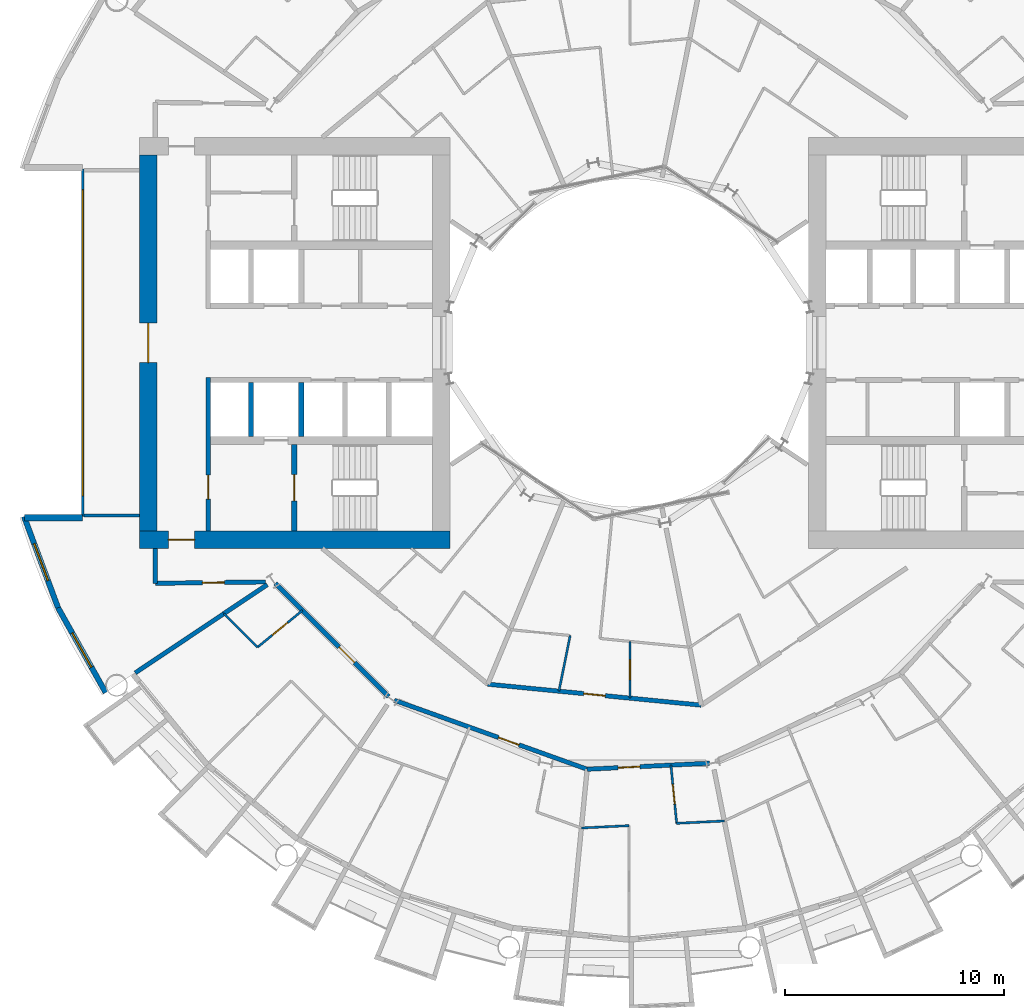
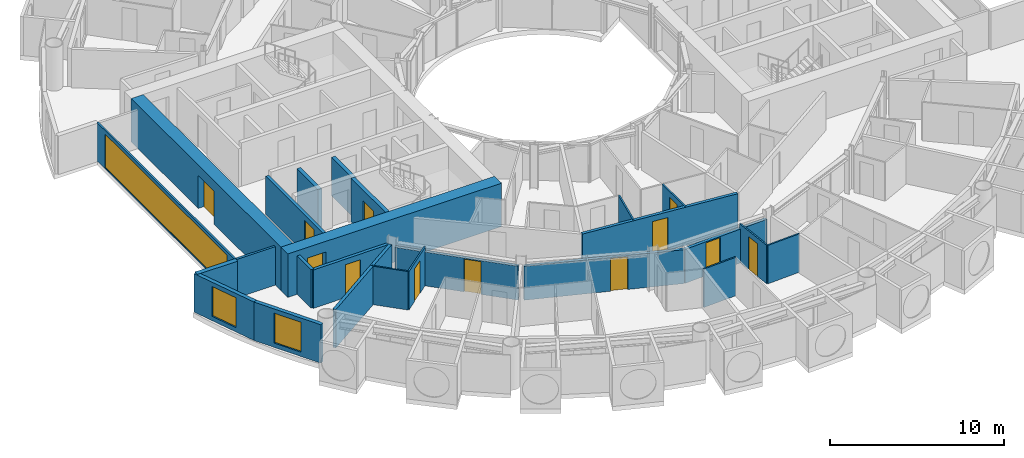
# One storey, part 14 of 26: 26 walls, 12 doors, 3 windows, 15 openings.
"""IFC4 building model written with IfcOpenShell, lengths in metres."""

import ifcopenshell
import ifcopenshell.guid

model = None  # the IFC model being written
_history = None  # IfcOwnerHistory: only IFC2X3 demands one
_inside = {}  # id of a spatial element -> (the spatial element, [elements in it])
_under = {}  # id of a project, library or spatial element -> (it, [spatial elements below it])
_declared = {}  # id of a project -> (the project, [libraries it declares])
_typed = {}  # id of a type object -> (the type object, [elements of that type])
_made_of = {}  # id of a material, layer set ... -> (it, [elements and type objects made of it])


def new_model(schema):
    """Start an empty IFC model of exactly this schema.

    Asked for "IFC4X3", IfcOpenShell would pick the latest addendum, in which some entities
    have other attributes; the version numbers below select the first issue.
    IFC2X3 requires an IfcOwnerHistory on every rooted entity: one is made here for all.
    """
    global model, _history
    if schema == "IFC4X3":
        model = ifcopenshell.file(schema_version=(4, 3, 0, 0))
    else:
        model = ifcopenshell.file(schema=schema)
    _inside.clear()
    _under.clear()
    _declared.clear()
    _typed.clear()
    _made_of.clear()
    _history = None
    if model.schema == "IFC2X3":
        org = make("IfcOrganization", Name="unknown")
        user = make(
            "IfcPersonAndOrganization",
            ThePerson=make("IfcPerson", FamilyName="unknown"),
            TheOrganization=org,
        )
        app = make(
            "IfcApplication",
            ApplicationDeveloper=org,
            Version="unknown",
            ApplicationFullName="unknown",
            ApplicationIdentifier="unknown",
        )
        _history = make(
            "IfcOwnerHistory",
            OwningUser=user,
            OwningApplication=app,
            ChangeAction="ADDED",
            CreationDate=0,
        )
    return model


def make(cls, **values):
    """One entity of the class cls with the attributes given. An attribute that is None is left unset."""
    return model.create_entity(
        cls, **{name: value for name, value in values.items() if value is not None}
    )


def rooted(cls, **values):
    """An entity with a GlobalId (a new one), such as an element, a storey or a relation."""
    return make(cls, GlobalId=ifcopenshell.guid.new(), OwnerHistory=_history, **values)


def si_unit(unit_type, name, prefix=None):
    """IfcSIUnit, for example si_unit("LENGTHUNIT", "METRE", prefix="MILLI")."""
    return make("IfcSIUnit", UnitType=unit_type, Prefix=prefix, Name=name)


def assignment(units):
    """IfcUnitAssignment: the units of a project."""
    return None if units is None else make("IfcUnitAssignment", Units=units)


def point(xyz):
    """IfcCartesianPoint."""
    return None if xyz is None else make("IfcCartesianPoint", Coordinates=xyz)


def direction(xyz):
    """IfcDirection."""
    return None if xyz is None else make("IfcDirection", DirectionRatios=xyz)


def frame(location, z_axis=None, x_axis=None):
    """IfcAxis2Placement3D, a coordinate frame: its origin and axes. An axis left out is left unset."""
    return make(
        "IfcAxis2Placement3D",
        Location=point(location),
        Axis=direction(z_axis),
        RefDirection=direction(x_axis),
    )


def frame_2d(location, x_axis=None):
    """IfcAxis2Placement2D, a coordinate frame in the plane: its origin and x axis."""
    return make(
        "IfcAxis2Placement2D", Location=point(location), RefDirection=direction(x_axis)
    )


def origin():
    """The frame at (0, 0, 0) with its axes left unset."""
    return frame((0.0, 0.0, 0.0))


def place(relative_to, where):
    """IfcLocalPlacement: puts the frame where relative to a parent placement (None: the world)."""
    return make(
        "IfcLocalPlacement", PlacementRelTo=relative_to, RelativePlacement=where
    )


def context(
    kind, dimensions, precision=None, world=None, true_north=None, identifier=None
):
    """IfcGeometricRepresentationContext, for example the 3D "Model" context."""
    return make(
        "IfcGeometricRepresentationContext",
        ContextIdentifier=identifier,
        ContextType=kind,
        CoordinateSpaceDimension=dimensions,
        Precision=precision,
        WorldCoordinateSystem=world,
        TrueNorth=true_north,
    )


def subcontext(parent, identifier, kind, view, scale=None):
    """IfcGeometricRepresentationSubContext, for example "Body" below "Model"."""
    return make(
        "IfcGeometricRepresentationSubContext",
        ContextIdentifier=identifier,
        ContextType=kind,
        ParentContext=parent,
        TargetScale=scale,
        TargetView=view,
    )


def project(units=None, contexts=None):
    """IfcProject with its units and contexts."""
    return rooted(
        "IfcProject",
        Name="project",
        RepresentationContexts=contexts,
        UnitsInContext=assignment(units),
    )


def spatial(cls, under=None, at=None, **own):
    """A site, building, storey or space (cls), placed at a placement, below another one or the project."""
    s = rooted(cls, ObjectPlacement=at, **own)
    if under is not None:
        _under.setdefault(under.id(), (under, []))[1].append(s)
    return s


def profile(cls, at=None, kind="AREA", **sizes):
    """A parametric profile (cls). Its sizes go by their IFC names, for example OverallWidth=200.0."""
    return make(cls, ProfileType=kind, Position=at, **sizes)


def rectangle(**sizes):
    """IfcRectangleProfileDef."""
    return profile("IfcRectangleProfileDef", **sizes)


def extrude(swept, where, along, depth):
    """IfcExtrudedAreaSolid: the profile swept, set in the frame where, extruded along a direction by depth."""
    return make(
        "IfcExtrudedAreaSolid",
        SweptArea=swept,
        Position=where,
        ExtrudedDirection=direction(along),
        Depth=depth,
    )


def shape(context_of_items, identifier, shape_type, items):
    """IfcShapeRepresentation: the items that make up one representation, for example the "Body"."""
    return make(
        "IfcShapeRepresentation",
        ContextOfItems=context_of_items,
        RepresentationIdentifier=identifier,
        RepresentationType=shape_type,
        Items=items,
    )


def material(Name=None, Category=None):
    """IfcMaterial."""
    return make("IfcMaterial", Name=Name, Category=Category)


def layer(
    of_material, thickness, ventilated=None, Name=None, Category=None, Priority=None
):
    """IfcMaterialLayer: one layer of a wall or slab, of a material (None: an air gap)."""
    return make(
        "IfcMaterialLayer",
        Material=of_material,
        LayerThickness=thickness,
        IsVentilated=ventilated,
        Name=Name,
        Category=Category,
        Priority=Priority,
    )


def layer_set(layers, Name=None):
    """IfcMaterialLayerSet."""
    return make("IfcMaterialLayerSet", MaterialLayers=layers, LayerSetName=Name)


def made_of(thing, what):
    """Note that an element or type object is made of a material, layer set ...; save() writes the relation."""
    if what is not None:
        _made_of.setdefault(what.id(), (what, []))[1].append(thing)
    return thing


def type_object(cls, material=None, **own):
    """A type object (cls), such as IfcWallType, which elements share."""
    return made_of(rooted(cls, **own), material)


def element(
    cls,
    number,
    at=None,
    inside=None,
    cuts=None,
    type_object=None,
    material=None,
    context=None,
    identifier="Body",
    shape_type=None,
    held_by="IfcProductDefinitionShape",
    body=None,
    shapes=None,
    **own,
):
    """One element of the class cls, such as IfcWall. Its Tag is "e" and its number.

    at: its placement. inside: the storey or other place that contains it. cuts: it is an
    opening in that element (IfcRelVoidsElement). A single representation is given by context,
    identifier, shape_type and body (its items); several are given by shapes. held_by: the class
    of the entity that holds the representations. save() writes the other relations.
    """
    e = rooted(cls, Tag="e%d" % number, ObjectPlacement=at, **own)
    if body is not None:
        shapes = [shape(context, identifier, shape_type, body)]
    if shapes is not None:
        e.Representation = make(held_by, Representations=shapes)
    if inside is not None:
        _inside.setdefault(inside.id(), (inside, []))[1].append(e)
    if cuts is not None:
        rooted(
            "IfcRelVoidsElement", RelatingBuildingElement=cuts, RelatedOpeningElement=e
        )
    if type_object is not None:
        _typed.setdefault(type_object.id(), (type_object, []))[1].append(e)
    return made_of(e, material)


def fill(opening, filler):
    """IfcRelFillsElement: the door or window that sits in an opening."""
    return rooted(
        "IfcRelFillsElement",
        RelatingOpeningElement=opening,
        RelatedBuildingElement=filler,
    )


def aggregate(whole, parts):
    """IfcRelAggregates: a whole, such as a stair, and the parts it consists of."""
    return rooted("IfcRelAggregates", RelatingObject=whole, RelatedObjects=parts)


def save(model, path):
    """Write the relations noted so far, then the file.

    IfcRelAggregates (storeys below a building ...), IfcRelContainedInSpatialStructure (elements
    in a storey), IfcRelDefinesByType, IfcRelAssociatesMaterial and IfcRelDeclares: one each for
    every whole, place, type object, material and project.
    """
    for whole, parts in _under.values():
        aggregate(whole, parts)
    for where, things in _inside.values():
        rooted(
            "IfcRelContainedInSpatialStructure",
            RelatedElements=things,
            RelatingStructure=where,
        )
    for kind, things in _typed.values():
        rooted("IfcRelDefinesByType", RelatedObjects=things, RelatingType=kind)
    for what, things in _made_of.values():
        rooted("IfcRelAssociatesMaterial", RelatedObjects=things, RelatingMaterial=what)
    for by, libraries in _declared.values():
        rooted("IfcRelDeclares", RelatingContext=by, RelatedDefinitions=libraries)
    model.write(path)


model = new_model("IFC4")

# Units and contexts
model_context = context("Model", 3, precision=1e-05, world=origin(), true_north=direction((0.0, 1.0)))
body_context = subcontext(model_context, "Body", "Model", "MODEL_VIEW")
ifc_project = project(units=[si_unit("LENGTHUNIT", "METRE"), si_unit("AREAUNIT", "SQUARE_METRE"), si_unit("VOLUMEUNIT", "CUBIC_METRE"), si_unit("PLANEANGLEUNIT", "RADIAN"), si_unit("MASSUNIT", "GRAM", prefix="KILO")], contexts=[model_context])

# Site, building, storey
site_placement = place(None, origin())
site = spatial("IfcSite", under=ifc_project, at=site_placement, CompositionType="ELEMENT")
building_placement = place(site_placement, origin())
building = spatial("IfcBuilding", under=site, at=building_placement, Name="Maasbend Ring Residences", CompositionType="ELEMENT")
storey_placement = place(building_placement, frame((0.0, 0.0, 25.85009765625)))
storey = spatial("IfcBuildingStorey", under=building, at=storey_placement, Name="L06", CompositionType="ELEMENT", Elevation=25.85009765625)

# Wall, opening, door
ifc_material_1 = material(Name="Concrete C70/85", Category="concrete")
ifc_layer_1 = layer(ifc_material_1, 0.25)
ifc_layer_set_1 = layer_set([ifc_layer_1], Name="Concrete C70/85")
wall_type_1 = type_object("IfcWallType", Name="CORE WALL 250 C70/85", PredefinedType="SHEAR", material=ifc_layer_set_1)
wall_1_placement = place(storey_placement, frame((-15.324951171875, -4.64990234375, 0.0), z_axis=(0.0, 0.0, 1.0), x_axis=(0.0, -1.0, 0.0)))
wall_1 = element("IfcWall", 1, at=wall_1_placement, inside=storey, type_object=wall_type_1, Name="L06 core W wall STEN", PredefinedType="SHEAR", context=body_context, shape_type="SweptSolid", body=[
    extrude(rectangle(XDim=3.9501953125, YDim=0.25, at=frame_2d((1.97509765625, 0.0))), origin(), (0.0, 0.0, 1.0), 3.0498046875),
])
opening_1_placement = place(wall_1_placement, frame((1.375, 0.0, 0.0)))
opening_1 = element("IfcOpeningElement", 2, at=opening_1_placement, cuts=wall_1, Name="Opening D-W0609", PredefinedType="OPENING", context=body_context, shape_type="SweptSolid", body=[
    extrude(rectangle(XDim=1.199951171875, YDim=2.300048828125, at=frame_2d((0.60009765625, 1.14990234375))), frame((0.0, 0.135009765625, 0.0), z_axis=(0.0, -1.0, 0.0), x_axis=(1.0, 0.0, 0.0)), (0.0, 0.0, 1.0), 0.27001953125),
])
ifc_material_2 = material(Name="Steel, powder coated", Category="steel")
door_type_1 = type_object("IfcDoorType", Name="STAIR DOOR 1200 X 2300 FD60", OperationType="NOTDEFINED", PredefinedType="DOOR", material=ifc_material_2)
door_1_placement = place(opening_1_placement, origin())
door_1 = element("IfcDoor", 3, at=door_1_placement, inside=storey, type_object=door_type_1, Name="Stair door ST-W L06", OperationType="SINGLE_SWING_LEFT", OverallHeight=2.300048828125, OverallWidth=1.199951171875, PredefinedType="DOOR", context=body_context, shape_type="SweptSolid", body=[
    extrude(rectangle(XDim=1.199951171875, YDim=2.300048828125, at=frame_2d((0.60009765625, 1.14990234375))), frame((0.0, 0.02490234375, 0.0), z_axis=(0.0, -1.0, 0.0), x_axis=(1.0, 0.0, 0.0)), (0.0, 0.0, 1.0), 0.050048828125),
])
fill(opening_1, door_1)

ifc_material_3 = material(Name="Concrete C70/85", Category="concrete")
ifc_layer_2 = layer(ifc_material_3, 0.800048828125)
ifc_layer_set_2 = layer_set([ifc_layer_2], Name="Concrete C70/85")
wall_type_2 = type_object("IfcWallType", Name="CORE WALL 800 C70/85", PredefinedType="SHEAR", material=ifc_layer_set_2)
wall_2_placement = place(storey_placement, frame((-22.39990234375, -9.0, 0.0), z_axis=(0.0, 0.0, 1.0), x_axis=(1.0, 0.0, 0.0)))
wall_2 = element("IfcWall", 4, at=wall_2_placement, inside=storey, type_object=wall_type_2, Name="L06 core W wall PN", PredefinedType="SHEAR", context=body_context, shape_type="SweptSolid", body=[
    extrude(rectangle(XDim=14.199951171875, YDim=0.800048828125, at=frame_2d((7.10009765625, 0.0))), origin(), (0.0, 0.0, 1.0), 3.0498046875),
])
opening_2_placement = place(wall_2_placement, frame((1.324951171875, 0.0, 0.0)))
opening_2 = element("IfcOpeningElement", 5, at=opening_2_placement, cuts=wall_2, Name="Opening D-W0613", PredefinedType="OPENING", context=body_context, shape_type="SweptSolid", body=[
    extrude(rectangle(XDim=1.199951171875, YDim=2.300048828125, at=frame_2d((0.60009765625, 1.14990234375))), frame((0.0, 0.41015625, 0.0), z_axis=(0.0, -1.0, 0.0), x_axis=(1.0, 0.0, 0.0)), (0.0, 0.0, 1.0), 0.820068359375),
])
ifc_material_4 = material(Name="Steel, powder coated", Category="steel")
door_type_2 = type_object("IfcDoorType", Name="CORRIDOR DOOR 1200 X 2300 FD30S", OperationType="NOTDEFINED", PredefinedType="DOOR", material=ifc_material_4)
door_2_placement = place(opening_2_placement, origin())
door_2 = element("IfcDoor", 6, at=door_2_placement, inside=storey, type_object=door_type_2, Name="Corridor door L06", OperationType="SINGLE_SWING_RIGHT", OverallHeight=2.300048828125, OverallWidth=1.199951171875, PredefinedType="DOOR", context=body_context, shape_type="SweptSolid", body=[
    extrude(rectangle(XDim=1.199951171875, YDim=2.300048828125, at=frame_2d((0.60009765625, 1.14990234375))), frame((0.0, 0.02490234375, 0.0), z_axis=(0.0, -1.0, 0.0), x_axis=(1.0, 0.0, 0.0)), (0.0, 0.0, 1.0), 0.050048828125),
])
fill(opening_2, door_2)

wall_3_placement = place(storey_placement, frame((-22.0, -8.60009765625, 0.0), z_axis=(0.0, 0.0, 1.0), x_axis=(0.0, 1.0, 0.0)))
wall_3 = element("IfcWall", 7, at=wall_3_placement, inside=storey, type_object=wall_type_2, Name="L06 core W wall POUT", PredefinedType="SHEAR", context=body_context, shape_type="SweptSolid", body=[
    extrude(rectangle(XDim=17.2001953125, YDim=0.800048828125, at=frame_2d((8.60009765625, 0.0))), origin(), (0.0, 0.0, 1.0), 3.0498046875),
])
opening_3_placement = place(wall_3_placement, frame((7.699951171875, 0.0, 0.0)))
opening_3 = element("IfcOpeningElement", 8, at=opening_3_placement, cuts=wall_3, Name="Opening D-W0615", PredefinedType="OPENING", context=body_context, shape_type="SweptSolid", body=[
    extrude(rectangle(XDim=1.800048828125, YDim=2.300048828125, at=frame_2d((0.89990234375, 1.14990234375))), frame((0.0, 0.41015625, 0.0), z_axis=(0.0, -1.0, 0.0), x_axis=(1.0, 0.0, 0.0)), (0.0, 0.0, 1.0), 0.820068359375),
])
ifc_material_5 = material(Name="Aluminium frame, clear glass", Category="aluminium")
door_type_3 = type_object("IfcDoorType", Name="ENTRANCE DOOR 1800 X 2300 FD60", OperationType="NOTDEFINED", PredefinedType="DOOR", material=ifc_material_5)
door_3_placement = place(opening_3_placement, origin())
door_3 = element("IfcDoor", 9, at=door_3_placement, inside=storey, type_object=door_type_3, Name="Lobby glazed door L06", OperationType="SINGLE_SWING_LEFT", OverallHeight=2.300048828125, OverallWidth=1.800048828125, PredefinedType="DOOR", context=body_context, shape_type="SweptSolid", body=[
    extrude(rectangle(XDim=1.800048828125, YDim=2.300048828125, at=frame_2d((0.89990234375, 1.14990234375))), frame((0.0, 0.02490234375, 0.0), z_axis=(0.0, -1.0, 0.0), x_axis=(1.0, 0.0, 0.0)), (0.0, 0.0, 1.0), 0.050048828125),
])
fill(opening_3, door_3)

ifc_material_6 = material(Name="Concrete C30/37", Category="concrete")
ifc_layer_3 = layer(ifc_material_6, 0.199951171875)
ifc_layer_set_3 = layer_set([ifc_layer_3], Name="Concrete C30/37")
wall_type_3 = type_object("IfcWallType", Name="CORRIDOR WALL 200 CONCRETE", PredefinedType="PARTITIONING", material=ifc_layer_set_3)
wall_4_placement = place(storey_placement, frame((-1.9208984375, -19.506103515625, 0.0), z_axis=(0.0, 0.0, 1.0), x_axis=(0.99878260749, 0.04932852092, 0.0)))
wall_4 = element("IfcWall", 10, at=wall_4_placement, inside=storey, type_object=wall_type_3, Name="U-L06-w013", PredefinedType="PARTITIONING", context=body_context, shape_type="SweptSolid", body=[
    extrude(rectangle(XDim=5.59765625, YDim=0.199951171875, at=frame_2d((2.798828125, 0.0))), origin(), (0.0, 0.0, 1.0), 2.3798828125),
])
opening_4_placement = place(wall_4_placement, frame((1.4169921875, 0.0, 0.0)))
opening_4 = element("IfcOpeningElement", 11, at=opening_4_placement, cuts=wall_4, Name="Opening D-0642", PredefinedType="OPENING", context=body_context, shape_type="SweptSolid", body=[
    extrude(rectangle(XDim=1.0, YDim=2.300048828125, at=frame_2d((0.5, 1.14990234375))), frame((0.0, 0.10986328125, 0.0), z_axis=(0.0, -1.0, 0.0), x_axis=(1.0, 0.0, 0.0)), (0.0, 0.0, 1.0), 0.219970703125),
])
ifc_material_7 = material(Name="Timber, fire-rated, painted", Category="wood")
door_type_4 = type_object("IfcDoorType", Name="FLAT ENTRANCE DOOR 1000 X 2300 FIRE-RATED", OperationType="NOTDEFINED", PredefinedType="DOOR", material=ifc_material_7)
door_4_placement = place(opening_4_placement, origin())
door_4 = element("IfcDoor", 12, at=door_4_placement, inside=storey, type_object=door_type_4, Name="D-0642", OperationType="SINGLE_SWING_LEFT", OverallHeight=2.300048828125, OverallWidth=1.0, PredefinedType="DOOR", context=body_context, shape_type="SweptSolid", body=[
    extrude(rectangle(XDim=1.0, YDim=2.300048828125, at=frame_2d((0.5, 1.14990234375))), frame((0.0, 0.02490234375, 0.0), z_axis=(0.0, -1.0, 0.0), x_axis=(1.0, 0.0, 0.0)), (0.0, 0.0, 1.0), 0.050048828125),
])
fill(opening_4, door_4)

wall_5_placement = place(storey_placement, frame((-16.18701171875, -10.9990234375, 0.0), z_axis=(0.0, 0.0, 1.0), x_axis=(0.707106781187, -0.707106781187, 0.0)))
wall_5 = element("IfcWall", 13, at=wall_5_placement, inside=storey, type_object=wall_type_3, Name="U-L06-w015", PredefinedType="PARTITIONING", context=body_context, shape_type="SweptSolid", body=[
    extrude(rectangle(XDim=7.3369140625, YDim=0.199951171875, at=frame_2d((3.66845703125, 0.0))), origin(), (0.0, 0.0, 1.0), 2.3798828125),
])
opening_5_placement = place(wall_5_placement, frame((4.1240234375, 0.0, 0.0)))
opening_5 = element("IfcOpeningElement", 14, at=opening_5_placement, cuts=wall_5, Name="Opening D-0633", PredefinedType="OPENING", context=body_context, shape_type="SweptSolid", body=[
    extrude(rectangle(XDim=1.0, YDim=2.300048828125, at=frame_2d((0.5, 1.14990234375))), frame((0.0, 0.10986328125, 0.0), z_axis=(0.0, -1.0, 0.0), x_axis=(1.0, 0.0, 0.0)), (0.0, 0.0, 1.0), 0.219970703125),
])
door_5_placement = place(opening_5_placement, origin())
door_5 = element("IfcDoor", 15, at=door_5_placement, inside=storey, type_object=door_type_4, Name="D-0633", OperationType="SINGLE_SWING_RIGHT", OverallHeight=2.300048828125, OverallWidth=1.0, PredefinedType="DOOR", context=body_context, shape_type="SweptSolid", body=[
    extrude(rectangle(XDim=1.0, YDim=2.300048828125, at=frame_2d((0.5, 1.14990234375))), frame((0.0, 0.02490234375, 0.0), z_axis=(0.0, -1.0, 0.0), x_axis=(1.0, 0.0, 0.0)), (0.0, 0.0, 1.0), 0.050048828125),
])
fill(opening_5, door_5)

wall_6_placement = place(storey_placement, frame((-10.740966796875, -16.35009765625, 0.0), z_axis=(0.0, 0.0, 1.0), x_axis=(0.941539496009, -0.336902623105, 0.0)))
wall_6 = element("IfcWall", 16, at=wall_6_placement, inside=storey, type_object=wall_type_3, Name="U-L06-w016", PredefinedType="PARTITIONING", context=body_context, shape_type="SweptSolid", body=[
    extrude(rectangle(XDim=9.36767578125, YDim=0.199951171875, at=frame_2d((4.683837890625, 0.0))), origin(), (0.0, 0.0, 1.0), 2.3798828125),
])
opening_6_placement = place(wall_6_placement, frame((5.056884765625, 0.0, 0.0)))
opening_6 = element("IfcOpeningElement", 17, at=opening_6_placement, cuts=wall_6, Name="Opening D-0637", PredefinedType="OPENING", context=body_context, shape_type="SweptSolid", body=[
    extrude(rectangle(XDim=1.0, YDim=2.300048828125, at=frame_2d((0.5, 1.14990234375))), frame((0.0, 0.10986328125, 0.0), z_axis=(0.0, -1.0, 0.0), x_axis=(1.0, 0.0, 0.0)), (0.0, 0.0, 1.0), 0.219970703125),
])
door_6_placement = place(opening_6_placement, origin())
door_6 = element("IfcDoor", 18, at=door_6_placement, inside=storey, type_object=door_type_4, Name="D-0637", OperationType="SINGLE_SWING_RIGHT", OverallHeight=2.300048828125, OverallWidth=1.0, PredefinedType="DOOR", context=body_context, shape_type="SweptSolid", body=[
    extrude(rectangle(XDim=1.0, YDim=2.300048828125, at=frame_2d((0.5, 1.14990234375))), frame((0.0, 0.02490234375, 0.0), z_axis=(0.0, -1.0, 0.0), x_axis=(1.0, 0.0, 0.0)), (0.0, 0.0, 1.0), 0.050048828125),
])
fill(opening_6, door_6)

wall_7_placement = place(storey_placement, frame((-6.467041015625, -15.614990234375, 0.0), z_axis=(0.0, 0.0, 1.0), x_axis=(0.995201860711, -0.097843019361, 0.0)))
wall_7 = element("IfcWall", 19, at=wall_7_placement, inside=storey, type_object=wall_type_3, Name="U-L06-w019", PredefinedType="PARTITIONING", context=body_context, shape_type="SweptSolid", body=[
    extrude(rectangle(XDim=9.811279296875, YDim=0.199951171875, at=frame_2d((4.90576171875, 0.0))), origin(), (0.0, 0.0, 1.0), 2.699951171875),
])
opening_7_placement = place(wall_7_placement, frame((4.405029296875, 0.0, 0.0)))
opening_7 = element("IfcOpeningElement", 20, at=opening_7_placement, cuts=wall_7, Name="Opening D-0657", PredefinedType="OPENING", context=body_context, shape_type="SweptSolid", body=[
    extrude(rectangle(XDim=1.0, YDim=2.300048828125, at=frame_2d((0.5, 1.14990234375))), frame((0.0, 0.10986328125, 0.0), z_axis=(0.0, -1.0, 0.0), x_axis=(1.0, 0.0, 0.0)), (0.0, 0.0, 1.0), 0.219970703125),
])
door_7_placement = place(opening_7_placement, origin())
door_7 = element("IfcDoor", 21, at=door_7_placement, inside=storey, type_object=door_type_4, Name="D-0657", OperationType="SINGLE_SWING_LEFT", OverallHeight=2.300048828125, OverallWidth=1.0, PredefinedType="DOOR", context=body_context, shape_type="SweptSolid", body=[
    extrude(rectangle(XDim=1.0, YDim=2.300048828125, at=frame_2d((0.5, 1.14990234375))), frame((0.0, 0.02490234375, 0.0), z_axis=(0.0, -1.0, 0.0), x_axis=(1.0, 0.0, 0.0)), (0.0, 0.0, 1.0), 0.050048828125),
])
fill(opening_7, door_7)

wall_8_placement = place(storey_placement, frame((-21.675048828125, -11.0, 0.0), z_axis=(0.0, 0.0, 1.0), x_axis=(0.99992425795, 0.012307654658, 0.0)))
wall_8 = element("IfcWall", 22, at=wall_8_placement, inside=storey, type_object=wall_type_3, Name="U-L06-w027", PredefinedType="PARTITIONING", context=body_context, shape_type="SweptSolid", body=[
    extrude(rectangle(XDim=5.03857421875, YDim=0.199951171875, at=frame_2d((2.519287109375, 0.0))), origin(), (0.0, 0.0, 1.0), 2.699951171875),
])
opening_8_placement = place(wall_8_placement, frame((2.155029296875, 0.0, 0.0)))
opening_8 = element("IfcOpeningElement", 23, at=opening_8_placement, cuts=wall_8, Name="Opening D-0665", PredefinedType="OPENING", context=body_context, shape_type="SweptSolid", body=[
    extrude(rectangle(XDim=1.0, YDim=2.300048828125, at=frame_2d((0.5, 1.14990234375))), frame((0.0, 0.10986328125, 0.0), z_axis=(0.0, -1.0, 0.0), x_axis=(1.0, 0.0, 0.0)), (0.0, 0.0, 1.0), 0.219970703125),
])
ifc_material_8 = material(Name="Timber, painted", Category="wood")
door_type_5 = type_object("IfcDoorType", Name="ROOM DOOR 1000 X 2300", OperationType="NOTDEFINED", PredefinedType="DOOR", material=ifc_material_8)
door_8_placement = place(opening_8_placement, origin())
door_8 = element("IfcDoor", 24, at=door_8_placement, inside=storey, type_object=door_type_5, Name="D-0665", OperationType="SINGLE_SWING_RIGHT", OverallHeight=2.300048828125, OverallWidth=1.0, PredefinedType="DOOR", context=body_context, shape_type="SweptSolid", body=[
    extrude(rectangle(XDim=1.0, YDim=2.300048828125, at=frame_2d((0.5, 1.14990234375))), frame((0.0, 0.02490234375, 0.0), z_axis=(0.0, -1.0, 0.0), x_axis=(1.0, 0.0, 0.0)), (0.0, 0.0, 1.0), 0.050048828125),
])
fill(opening_8, door_8)

# Wall
wall_9_placement = place(storey_placement, frame((-21.675048828125, -11.0, 0.0), z_axis=(0.0, 0.0, 1.0), x_axis=(0.0, 1.0, 0.0)))
element("IfcWall", 25, at=wall_9_placement, inside=storey, type_object=wall_type_3, Name="U-L06-w119", PredefinedType="PARTITIONING", context=body_context, shape_type="SweptSolid", body=[
    extrude(rectangle(XDim=1.60009765625, YDim=0.199951171875, at=frame_2d((0.800048828125, 0.0))), origin(), (0.0, 0.0, 1.0), 2.699951171875),
])

# Wall, opening, window
ifc_material_9 = material(Name="Aluminium clad insulated panel", Category="aluminium")
ifc_layer_4 = layer(ifc_material_9, 0.25)
ifc_layer_set_4 = layer_set([ifc_layer_4], Name="EW-HORN")
wall_type_4 = type_object("IfcWallType", Name="EW-HORN", PredefinedType="SOLIDWALL", material=ifc_layer_set_4)
wall_10_placement = place(storey_placement, frame((-27.681884765625, -7.945068359375, 0.0), z_axis=(0.0, 0.0, 1.0), x_axis=(0.349247811493, -0.937030397675, 0.0)))
wall_10 = element("IfcWall", 26, at=wall_10_placement, inside=storey, type_object=wall_type_4, Name="Horn wall 3.1", PredefinedType="SOLIDWALL", context=body_context, shape_type="SweptSolid", body=[
    extrude(rectangle(XDim=4.4521484375, YDim=0.25, at=frame_2d((2.22607421875, 0.0))), origin(), (0.0, 0.0, 1.0), 2.699951171875),
])
opening_9_placement = place(wall_10_placement, frame((1.32666015625, 0.0, 0.300048828125)))
opening_9 = element("IfcOpeningElement", 27, at=opening_9_placement, cuts=wall_10, Name="Opening W-BX", PredefinedType="OPENING", context=body_context, shape_type="SweptSolid", body=[
    extrude(rectangle(XDim=1.800048828125, YDim=2.10009765625, at=frame_2d((0.89990234375, 1.050048828125))), frame((0.0, 0.135009765625, 0.0), z_axis=(0.0, -1.0, 0.0), x_axis=(1.0, 0.0, 0.0)), (0.0, 0.0, 1.0), 0.27001953125),
])
ifc_material_10 = material(Name="Aluminium and clear glass", Category="aluminium")
window_type_1 = type_object("IfcWindowType", Name="W-BX", PartitioningType="DOUBLE_PANEL_VERTICAL", PredefinedType="WINDOW", material=ifc_material_10)
window_1_placement = place(opening_9_placement, origin())
window_1 = element("IfcWindow", 28, at=window_1_placement, inside=storey, type_object=window_type_1, Name="Horn window 3.1", OverallHeight=2.10009765625, OverallWidth=1.800048828125, PartitioningType="SINGLE_PANEL", PredefinedType="WINDOW", context=body_context, shape_type="SweptSolid", body=[
    extrude(rectangle(XDim=1.800048828125, YDim=2.10009765625, at=frame_2d((0.89990234375, 1.050048828125))), frame((0.0, 0.030029296875, 0.0), z_axis=(0.0, -1.0, 0.0), x_axis=(1.0, 0.0, 0.0)), (0.0, 0.0, 1.0), 0.06005859375),
])
fill(opening_9, window_1)

wall_11_placement = place(storey_placement, frame((-26.126953125, -12.116943359375, 0.0), z_axis=(0.0, 0.0, 1.0), x_axis=(0.489696356642, -0.871893042919, 0.0)))
wall_11 = element("IfcWall", 29, at=wall_11_placement, inside=storey, type_object=wall_type_4, Name="Horn wall 3.2", PredefinedType="SOLIDWALL", context=body_context, shape_type="SweptSolid", body=[
    extrude(rectangle(XDim=4.45361328125, YDim=0.25, at=frame_2d((2.226806640625, 0.0))), origin(), (0.0, 0.0, 1.0), 2.699951171875),
])
opening_10_placement = place(wall_11_placement, frame((1.32666015625, 0.0, 0.300048828125)))
opening_10 = element("IfcOpeningElement", 30, at=opening_10_placement, cuts=wall_11, Name="Opening W-BX", PredefinedType="OPENING", context=body_context, shape_type="SweptSolid", body=[
    extrude(rectangle(XDim=1.800048828125, YDim=2.10009765625, at=frame_2d((0.89990234375, 1.050048828125))), frame((0.0, 0.135009765625, 0.0), z_axis=(0.0, -1.0, 0.0), x_axis=(1.0, 0.0, 0.0)), (0.0, 0.0, 1.0), 0.27001953125),
])
window_2_placement = place(opening_10_placement, origin())
window_2 = element("IfcWindow", 31, at=window_2_placement, inside=storey, type_object=window_type_1, Name="Horn window 3.2", OverallHeight=2.10009765625, OverallWidth=1.800048828125, PartitioningType="SINGLE_PANEL", PredefinedType="WINDOW", context=body_context, shape_type="SweptSolid", body=[
    extrude(rectangle(XDim=1.800048828125, YDim=2.10009765625, at=frame_2d((0.89990234375, 1.050048828125))), frame((0.0, 0.030029296875, 0.0), z_axis=(0.0, -1.0, 0.0), x_axis=(1.0, 0.0, 0.0)), (0.0, 0.0, 1.0), 0.06005859375),
])
fill(opening_10, window_2)

# Wall
ifc_material_11 = material(Name="Aluminium clad insulated panel", Category="aluminium")
ifc_layer_5 = layer(ifc_material_11, 0.300048828125)
ifc_layer_set_5 = layer_set([ifc_layer_5], Name="EW-RET")
wall_type_5 = type_object("IfcWallType", Name="EW-RET", PredefinedType="SOLIDWALL", material=ifc_layer_set_5)
wall_12_placement = place(storey_placement, frame((-25.0, -8.0, 0.0), z_axis=(0.0, 0.0, 1.0), x_axis=(-1.0, 0.0, 0.0)))
element("IfcWall", 32, at=wall_12_placement, inside=storey, type_object=wall_type_5, Name="Notch return wall west south", PredefinedType="SOLIDWALL", context=body_context, shape_type="SweptSolid", body=[
    extrude(rectangle(XDim=2.6669921875, YDim=0.300048828125, at=frame_2d((1.33349609375, 0.0))), origin(), (0.0, 0.0, 1.0), 2.699951171875),
])

# Wall, opening, window
ifc_material_12 = material(Name="Aluminium frame and clear glass", Category="aluminium")
ifc_layer_6 = layer(ifc_material_12, 0.1201171875)
ifc_layer_set_6 = layer_set([ifc_layer_6], Name="GLAZED SCREEN WALL 120 EI 60")
wall_type_6 = type_object("IfcWallType", Name="GLAZED SCREEN WALL 120 EI 60", PredefinedType="PARTITIONING", material=ifc_layer_set_6)
wall_13_placement = place(storey_placement, frame((-25.0, 7.949951171875, 0.0), z_axis=(0.0, 0.0, 1.0), x_axis=(0.0, -1.0, 0.0)))
wall_13 = element("IfcWall", 33, at=wall_13_placement, inside=storey, type_object=wall_type_6, Name="L06 core W wall FACE", PredefinedType="PARTITIONING", context=body_context, shape_type="SweptSolid", body=[
    extrude(rectangle(XDim=15.89990234375, YDim=0.1201171875, at=frame_2d((7.949951171875, 0.0))), origin(), (0.0, 0.0, 1.0), 2.699951171875),
])
opening_11_placement = place(wall_13_placement, frame((0.949951171875, 0.0, 0.10009765625)))
opening_11 = element("IfcOpeningElement", 34, at=opening_11_placement, cuts=wall_13, Name="Opening W-W0602", PredefinedType="OPENING", context=body_context, shape_type="SweptSolid", body=[
    extrude(rectangle(XDim=14.0, YDim=2.35009765625, at=frame_2d((7.0, 1.175048828125))), frame((0.0, 0.070068359375, 0.0), z_axis=(0.0, -1.0, 0.0), x_axis=(1.0, 0.0, 0.0)), (0.0, 0.0, 1.0), 0.14013671875),
])
ifc_material_13 = material(Name="Aluminium frame and clear glass", Category="aluminium")
window_type_2 = type_object("IfcWindowType", Name="FIXED WINDOW 14000 X 2350", PartitioningType="SINGLE_PANEL", PredefinedType="WINDOW", material=ifc_material_13)
window_3_placement = place(opening_11_placement, origin())
window_3 = element("IfcWindow", 35, at=window_3_placement, inside=storey, type_object=window_type_2, Name="Lobby window L06", OverallHeight=2.35009765625, OverallWidth=14.0, PartitioningType="SINGLE_PANEL", PredefinedType="WINDOW", context=body_context, shape_type="SweptSolid", body=[
    extrude(rectangle(XDim=14.0, YDim=2.35009765625, at=frame_2d((7.0, 1.175048828125))), frame((0.0, 0.030029296875, 0.0), z_axis=(0.0, -1.0, 0.0), x_axis=(1.0, 0.0, 0.0)), (0.0, 0.0, 1.0), 0.06005859375),
])
fill(opening_11, window_3)

# Walls
ifc_material_14 = material(Name="Gypsum board on steel studs", Category="steel")
ifc_layer_7 = layer(ifc_material_14, 0.10009765625)
ifc_layer_set_7 = layer_set([ifc_layer_7], Name="PARTITION 100 GYPSUM")
wall_type_7 = type_object("IfcWallType", Name="PARTITION 100 GYPSUM", PredefinedType="PARTITIONING", material=ifc_layer_set_7)
for number, where, z_axis, x_axis, name in (
    (36, (-2.18603515625, -22.193115234375, 0.0), (0.0, 0.0, 1.0), (0.998792477005, 0.049128279821, 0.0), "U-L06-w001"),
    (37, (2.172119140625, -21.97900390625, 0.0), (0.0, 0.0, 1.0), (0.998797962079, 0.049016639484, 0.0), "U-L06-w002"),
):
    element("IfcWall", number, at=place(storey_placement, frame(where, z_axis=z_axis, x_axis=x_axis)), inside=storey, type_object=wall_type_7, Name=name, PredefinedType="PARTITIONING", context=body_context, shape_type="SweptSolid", body=[
        extrude(rectangle(XDim=2.181640625, YDim=0.10009765625, at=frame_2d((1.0908203125, 0.0))), origin(), (0.0, 0.0, 1.0), 2.699951171875),
    ])
wall_14_placement = place(storey_placement, frame((-18.5419921875, -12.388916015625, 0.0), z_axis=(0.0, 0.0, 1.0), x_axis=(0.707106781187, -0.707106781187, 0.0)))
element("IfcWall", 38, at=wall_14_placement, inside=storey, type_object=wall_type_7, Name="U-L06-w005", PredefinedType="PARTITIONING", context=body_context, shape_type="SweptSolid", body=[
    extrude(rectangle(XDim=2.17529296875, YDim=0.10009765625, at=frame_2d((1.087646484375, 0.0))), origin(), (0.0, 0.0, 1.0), 2.699951171875),
])

# Wall, opening, door
wall_15_placement = place(storey_placement, frame((-17.00390625, -13.927001953125, 0.0), z_axis=(0.0, 0.0, 1.0), x_axis=(0.77367517848, 0.633582447834, 0.0)))
wall_15 = element("IfcWall", 39, at=wall_15_placement, inside=storey, type_object=wall_type_7, Name="U-L06-w040", PredefinedType="PARTITIONING", context=body_context, shape_type="SweptSolid", body=[
    extrude(rectangle(XDim=2.6611328125, YDim=0.10009765625, at=frame_2d((1.33056640625, 0.0))), origin(), (0.0, 0.0, 1.0), 2.699951171875),
])
opening_12_placement = place(wall_15_placement, frame((0.881103515625, 0.0, 0.0)))
opening_12 = element("IfcOpeningElement", 40, at=opening_12_placement, cuts=wall_15, Name="Opening D-0634", PredefinedType="OPENING", context=body_context, shape_type="SweptSolid", body=[
    extrude(rectangle(XDim=0.89990234375, YDim=2.300048828125, at=frame_2d((0.449951171875, 1.14990234375))), frame((0.0, 0.06005859375, 0.0), z_axis=(0.0, -1.0, 0.0), x_axis=(1.0, 0.0, 0.0)), (0.0, 0.0, 1.0), 0.1201171875),
])
ifc_material_15 = material(Name="Timber, painted", Category="wood")
door_type_6 = type_object("IfcDoorType", Name="INTERNAL DOOR 900 X 2300", OperationType="NOTDEFINED", PredefinedType="DOOR", material=ifc_material_15)
door_9_placement = place(opening_12_placement, origin())
door_9 = element("IfcDoor", 41, at=door_9_placement, inside=storey, type_object=door_type_6, Name="D-0634", OperationType="SINGLE_SWING_RIGHT", OverallHeight=2.300048828125, OverallWidth=0.89990234375, PredefinedType="DOOR", context=body_context, shape_type="SweptSolid", body=[
    extrude(rectangle(XDim=0.89990234375, YDim=2.300048828125, at=frame_2d((0.449951171875, 1.14990234375))), frame((0.0, 0.02490234375, 0.0), z_axis=(0.0, -1.0, 0.0), x_axis=(1.0, 0.0, 0.0)), (0.0, 0.0, 1.0), 0.050048828125),
])
fill(opening_12, door_9)

# Wall
wall_16_placement = place(storey_placement, frame((-3.212890625, -15.93408203125, 0.0), z_axis=(0.0, 0.0, 1.0), x_axis=(0.197851046463, 0.980232096706, 0.0)))
element("IfcWall", 42, at=wall_16_placement, inside=storey, type_object=wall_type_7, Name="U-L06-w058", PredefinedType="PARTITIONING", context=body_context, shape_type="SweptSolid", body=[
    extrude(rectangle(XDim=2.597412109375, YDim=0.10009765625, at=frame_2d((1.298828125, 0.0))), origin(), (0.0, 0.0, 1.0), 2.699951171875),
])

# Wall, opening, door
wall_17_placement = place(storey_placement, frame((0.0419921875, -16.2548828125, 0.0), z_axis=(0.0, 0.0, 1.0), x_axis=(-0.00272632248, 0.999996283576, 0.0)))
wall_17 = element("IfcWall", 43, at=wall_17_placement, inside=storey, type_object=wall_type_7, Name="U-L06-w067", PredefinedType="PARTITIONING", context=body_context, shape_type="SweptSolid", body=[
    extrude(rectangle(XDim=2.596923828125, YDim=0.10009765625, at=frame_2d((1.29833984375, 0.0))), origin(), (0.0, 0.0, 1.0), 2.699951171875),
])
opening_13_placement = place(wall_17_placement, frame((0.84912109375, 0.0, 0.0)))
opening_13 = element("IfcOpeningElement", 44, at=opening_13_placement, cuts=wall_17, Name="Opening D-0659", PredefinedType="OPENING", context=body_context, shape_type="SweptSolid", body=[
    extrude(rectangle(XDim=0.89990234375, YDim=2.300048828125, at=frame_2d((0.449951171875, 1.14990234375))), frame((0.0, 0.06005859375, 0.0), z_axis=(0.0, -1.0, 0.0), x_axis=(1.0, 0.0, 0.0)), (0.0, 0.0, 1.0), 0.1201171875),
])
door_10_placement = place(opening_13_placement, origin())
door_10 = element("IfcDoor", 45, at=door_10_placement, inside=storey, type_object=door_type_6, Name="D-0659", OperationType="SINGLE_SWING_RIGHT", OverallHeight=2.300048828125, OverallWidth=0.89990234375, PredefinedType="DOOR", context=body_context, shape_type="SweptSolid", body=[
    extrude(rectangle(XDim=0.89990234375, YDim=2.300048828125, at=frame_2d((0.449951171875, 1.14990234375))), frame((0.0, 0.02490234375, 0.0), z_axis=(0.0, -1.0, 0.0), x_axis=(1.0, 0.0, 0.0)), (0.0, 0.0, 1.0), 0.050048828125),
])
fill(opening_13, door_10)

wall_18_placement = place(storey_placement, frame((1.908935546875, -19.31689453125, 0.0), z_axis=(0.0, 0.0, 1.0), x_axis=(0.098383180323, -0.995148606907, 0.0)))
wall_18 = element("IfcWall", 46, at=wall_18_placement, inside=storey, type_object=wall_type_7, Name="U-L06-w071", PredefinedType="PARTITIONING", context=body_context, shape_type="SweptSolid", body=[
    extrude(rectangle(XDim=2.675048828125, YDim=0.10009765625, at=frame_2d((1.33740234375, 0.0))), origin(), (0.0, 0.0, 1.0), 2.699951171875),
])
opening_14_placement = place(wall_18_placement, frame((0.886962890625, 0.0, 0.0)))
opening_14 = element("IfcOpeningElement", 47, at=opening_14_placement, cuts=wall_18, Name="Opening D-0643", PredefinedType="OPENING", context=body_context, shape_type="SweptSolid", body=[
    extrude(rectangle(XDim=0.89990234375, YDim=2.300048828125, at=frame_2d((0.449951171875, 1.14990234375))), frame((0.0, 0.06005859375, 0.0), z_axis=(0.0, -1.0, 0.0), x_axis=(1.0, 0.0, 0.0)), (0.0, 0.0, 1.0), 0.1201171875),
])
door_11_placement = place(opening_14_placement, origin())
door_11 = element("IfcDoor", 48, at=door_11_placement, inside=storey, type_object=door_type_6, Name="D-0643", OperationType="SINGLE_SWING_RIGHT", OverallHeight=2.300048828125, OverallWidth=0.89990234375, PredefinedType="DOOR", context=body_context, shape_type="SweptSolid", body=[
    extrude(rectangle(XDim=0.89990234375, YDim=2.300048828125, at=frame_2d((0.449951171875, 1.14990234375))), frame((0.0, 0.02490234375, 0.0), z_axis=(0.0, -1.0, 0.0), x_axis=(1.0, 0.0, 0.0)), (0.0, 0.0, 1.0), 0.050048828125),
])
fill(opening_14, door_11)

# Walls
ifc_material_16 = material(Name="Gypsum board on steel studs", Category="steel")
ifc_layer_8 = layer(ifc_material_16, 0.14990234375)
ifc_layer_set_8 = layer_set([ifc_layer_8], Name="PARTITION 150 EI 60")
wall_type_8 = type_object("IfcWallType", Name="PARTITION 150 EI 60", PredefinedType="PARTITIONING", material=ifc_layer_set_8)
wall_19_placement = place(storey_placement, frame((-22.39990234375, -7.89990234375, 0.0), z_axis=(0.0, 0.0, 1.0), x_axis=(-1.0, 0.0, 0.0)))
element("IfcWall", 49, at=wall_19_placement, inside=storey, type_object=wall_type_8, Name="L06 core W wall CITN", PredefinedType="PARTITIONING", context=body_context, shape_type="SweptSolid", body=[
    extrude(rectangle(XDim=2.5400390625, YDim=0.14990234375, at=frame_2d((1.27001953125, 0.0))), origin(), (0.0, 0.0, 1.0), 2.699951171875),
])
ifc_material_17 = material(Name="Concrete C30/37", Category="concrete")
ifc_layer_9 = layer(ifc_material_17, 0.199951171875)
ifc_layer_set_9 = layer_set([ifc_layer_9], Name="Concrete C30/37")
wall_type_9 = type_object("IfcWallType", Name="PARTY WALL 200 CONCRETE", PredefinedType="PARTITIONING", material=ifc_layer_set_9)
wall_20_placement = place(storey_placement, frame((-18.5439453125, -12.386962890625, 0.0), z_axis=(0.0, 0.0, 1.0), x_axis=(0.832066006555, 0.554676627176, 0.0)))
element("IfcWall", 50, at=wall_20_placement, inside=storey, type_object=wall_type_9, Name="U-L06-w031", PredefinedType="PARTITIONING", context=body_context, shape_type="SweptSolid", body=[
    extrude(rectangle(XDim=2.390380859375, YDim=0.199951171875, at=frame_2d((1.1953125, 0.0))), origin(), (0.0, 0.0, 1.0), 2.699951171875),
])
wall_21_placement = place(storey_placement, frame((-22.594970703125, -15.097900390625, 0.0), z_axis=(0.0, 0.0, 1.0), x_axis=(0.831387096605, 0.55569370664, 0.0)))
element("IfcWall", 51, at=wall_21_placement, inside=storey, type_object=wall_type_9, Name="U-L06-w034", PredefinedType="PARTITIONING", context=body_context, shape_type="SweptSolid", body=[
    extrude(rectangle(XDim=4.875, YDim=0.199951171875, at=frame_2d((2.4375, 0.0))), origin(), (0.0, 0.0, 1.0), 2.699951171875),
])

# Wall, opening, door
ifc_material_18 = material(Name="Concrete C30/37", Category="concrete")
ifc_layer_10 = layer(ifc_material_18, 0.199951171875)
ifc_layer_set_10 = layer_set([ifc_layer_10], Name="Concrete C30/37")
wall_type_10 = type_object("IfcWallType", Name="SHAFT WALL 200 EI 120", PredefinedType="SOLIDWALL", material=ifc_layer_set_10)
wall_22_placement = place(storey_placement, frame((-19.25, -1.574951171875, 0.0), z_axis=(0.0, 0.0, 1.0), x_axis=(0.0, -1.0, 0.0)))
wall_22 = element("IfcWall", 52, at=wall_22_placement, inside=storey, type_object=wall_type_10, Name="L06 core W wall ENDN", PredefinedType="SOLIDWALL", context=body_context, shape_type="SweptSolid", body=[
    extrude(rectangle(XDim=7.025146484375, YDim=0.199951171875, at=frame_2d((3.5126953125, 0.0))), origin(), (0.0, 0.0, 1.0), 2.699951171875),
])
opening_15_placement = place(wall_22_placement, frame((4.47509765625, 0.0, 0.0)))
opening_15 = element("IfcOpeningElement", 53, at=opening_15_placement, cuts=wall_22, Name="Opening D-W0611", PredefinedType="OPENING", context=body_context, shape_type="SweptSolid", body=[
    extrude(rectangle(XDim=1.10009765625, YDim=2.300048828125, at=frame_2d((0.550048828125, 1.14990234375))), frame((0.0, 0.10986328125, 0.0), z_axis=(0.0, -1.0, 0.0), x_axis=(1.0, 0.0, 0.0)), (0.0, 0.0, 1.0), 0.219970703125),
])
ifc_material_19 = material(Name="Steel, powder coated", Category="steel")
door_type_7 = type_object("IfcDoorType", Name="LOBBY DOOR 1100 X 2300 FD60", OperationType="NOTDEFINED", PredefinedType="DOOR", material=ifc_material_19)
door_12_placement = place(opening_15_placement, origin())
door_12 = element("IfcDoor", 54, at=door_12_placement, inside=storey, type_object=door_type_7, Name="Lobby door L06", OperationType="SINGLE_SWING_LEFT", OverallHeight=2.300048828125, OverallWidth=1.10009765625, PredefinedType="DOOR", context=body_context, shape_type="SweptSolid", body=[
    extrude(rectangle(XDim=1.10009765625, YDim=2.300048828125, at=frame_2d((0.550048828125, 1.14990234375))), frame((0.0, 0.02490234375, 0.0), z_axis=(0.0, -1.0, 0.0), x_axis=(1.0, 0.0, 0.0)), (0.0, 0.0, 1.0), 0.050048828125),
])
fill(opening_15, door_12)

# Walls
ifc_material_20 = material(Name="Concrete C30/37", Category="concrete")
ifc_layer_11 = layer(ifc_material_20, 0.25)
ifc_layer_set_11 = layer_set([ifc_layer_11], Name="Concrete C30/37")
wall_type_11 = type_object("IfcWallType", Name="SHAFT WALL 250 EI 120", PredefinedType="SOLIDWALL", material=ifc_layer_set_11)
for number, where, z_axis, x_axis, name in (
    (55, (-15.0, -1.824951171875, 0.0), (0.0, 0.0, 1.0), (0.0, -1.0, 0.0), "L06 core W wall D150N"),
    (56, (-17.300048828125, -1.824951171875, 0.0), (0.0, 0.0, 1.0), (0.0, -1.0, 0.0), "L06 core W wall D173N"),
):
    element("IfcWall", number, at=place(storey_placement, frame(where, z_axis=z_axis, x_axis=x_axis)), inside=storey, type_object=wall_type_11, Name=name, PredefinedType="SOLIDWALL", context=body_context, shape_type="SweptSolid", body=[
        extrude(rectangle(XDim=2.449951171875, YDim=0.25, at=frame_2d((1.22509765625, 0.0))), origin(), (0.0, 0.0, 1.0), 2.699951171875),
    ])

save(model, "model.ifc")
